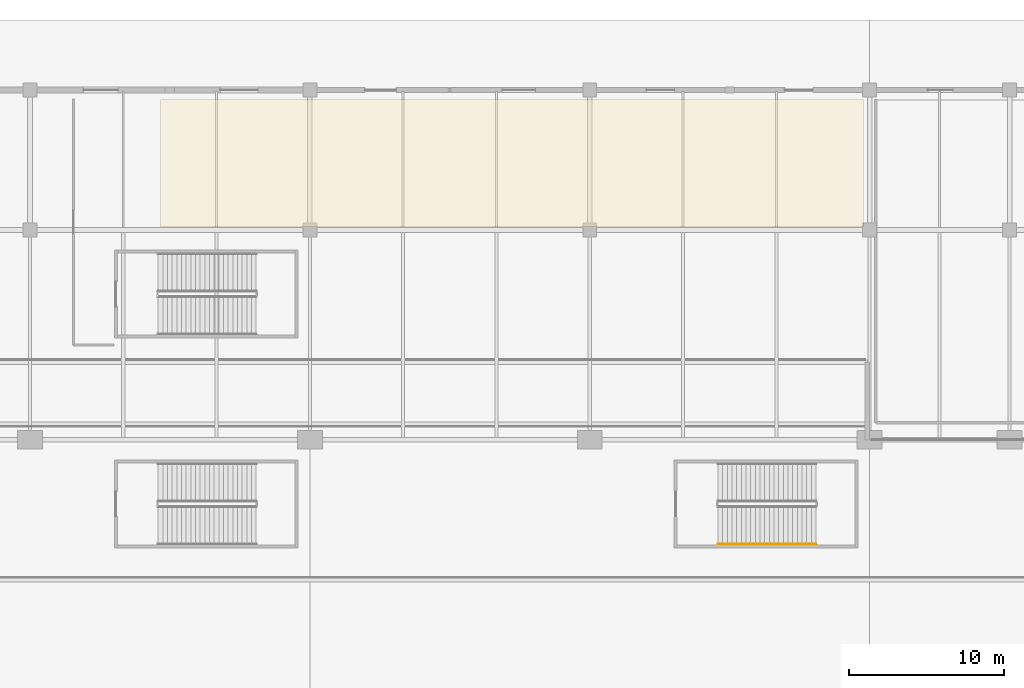
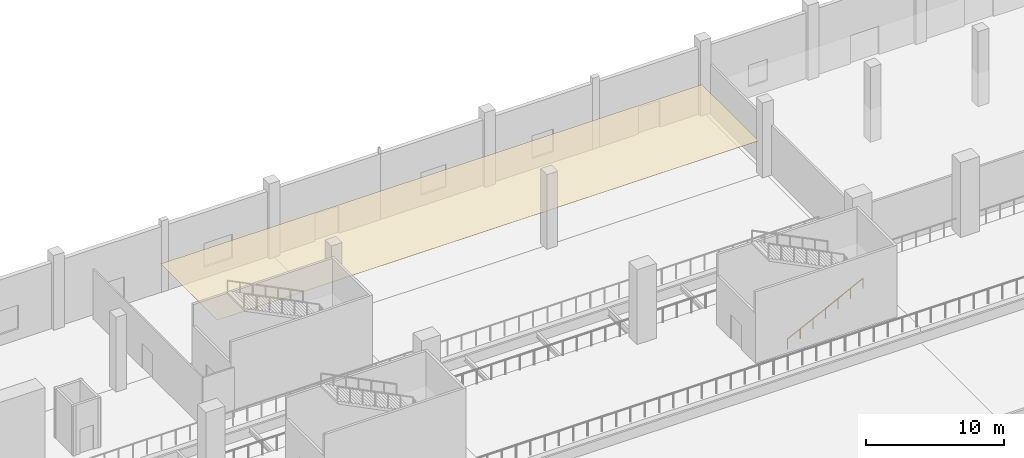
# One storey, part 54 of 65: 1 covering, 1 railing.
"""IFC4 building model written with IfcOpenShell, lengths in metres."""

import ifcopenshell
import ifcopenshell.guid

model = None  # the IFC model being written
_history = None  # IfcOwnerHistory: only IFC2X3 demands one
_inside = {}  # id of a spatial element -> (the spatial element, [elements in it])
_under = {}  # id of a project, library or spatial element -> (it, [spatial elements below it])
_declared = {}  # id of a project -> (the project, [libraries it declares])
_typed = {}  # id of a type object -> (the type object, [elements of that type])
_made_of = {}  # id of a material, layer set ... -> (it, [elements and type objects made of it])


def new_model(schema):
    """Start an empty IFC model of exactly this schema.

    Asked for "IFC4X3", IfcOpenShell would pick the latest addendum, in which some entities
    have other attributes; the version numbers below select the first issue.
    IFC2X3 requires an IfcOwnerHistory on every rooted entity: one is made here for all.
    """
    global model, _history
    if schema == "IFC4X3":
        model = ifcopenshell.file(schema_version=(4, 3, 0, 0))
    else:
        model = ifcopenshell.file(schema=schema)
    _inside.clear()
    _under.clear()
    _declared.clear()
    _typed.clear()
    _made_of.clear()
    _history = None
    if model.schema == "IFC2X3":
        org = make("IfcOrganization", Name="unknown")
        user = make(
            "IfcPersonAndOrganization",
            ThePerson=make("IfcPerson", FamilyName="unknown"),
            TheOrganization=org,
        )
        app = make(
            "IfcApplication",
            ApplicationDeveloper=org,
            Version="unknown",
            ApplicationFullName="unknown",
            ApplicationIdentifier="unknown",
        )
        _history = make(
            "IfcOwnerHistory",
            OwningUser=user,
            OwningApplication=app,
            ChangeAction="ADDED",
            CreationDate=0,
        )
    return model


def make(cls, **values):
    """One entity of the class cls with the attributes given. An attribute that is None is left unset."""
    return model.create_entity(
        cls, **{name: value for name, value in values.items() if value is not None}
    )


def rooted(cls, **values):
    """An entity with a GlobalId (a new one), such as an element, a storey or a relation."""
    return make(cls, GlobalId=ifcopenshell.guid.new(), OwnerHistory=_history, **values)


def si_unit(unit_type, name, prefix=None):
    """IfcSIUnit, for example si_unit("LENGTHUNIT", "METRE", prefix="MILLI")."""
    return make("IfcSIUnit", UnitType=unit_type, Prefix=prefix, Name=name)


def assignment(units):
    """IfcUnitAssignment: the units of a project."""
    return None if units is None else make("IfcUnitAssignment", Units=units)


def point(xyz):
    """IfcCartesianPoint."""
    return None if xyz is None else make("IfcCartesianPoint", Coordinates=xyz)


def direction(xyz):
    """IfcDirection."""
    return None if xyz is None else make("IfcDirection", DirectionRatios=xyz)


def frame(location, z_axis=None, x_axis=None):
    """IfcAxis2Placement3D, a coordinate frame: its origin and axes. An axis left out is left unset."""
    return make(
        "IfcAxis2Placement3D",
        Location=point(location),
        Axis=direction(z_axis),
        RefDirection=direction(x_axis),
    )


def frame_2d(location, x_axis=None):
    """IfcAxis2Placement2D, a coordinate frame in the plane: its origin and x axis."""
    return make(
        "IfcAxis2Placement2D", Location=point(location), RefDirection=direction(x_axis)
    )


def origin():
    """The frame at (0, 0, 0) with its axes left unset."""
    return frame((0.0, 0.0, 0.0))


def origin_2d():
    """The frame at (0, 0) in the plane with its x axis left unset."""
    return frame_2d((0.0, 0.0))


def place(relative_to, where):
    """IfcLocalPlacement: puts the frame where relative to a parent placement (None: the world)."""
    return make(
        "IfcLocalPlacement", PlacementRelTo=relative_to, RelativePlacement=where
    )


def context(
    kind, dimensions, precision=None, world=None, true_north=None, identifier=None
):
    """IfcGeometricRepresentationContext, for example the 3D "Model" context."""
    return make(
        "IfcGeometricRepresentationContext",
        ContextIdentifier=identifier,
        ContextType=kind,
        CoordinateSpaceDimension=dimensions,
        Precision=precision,
        WorldCoordinateSystem=world,
        TrueNorth=true_north,
    )


def subcontext(parent, identifier, kind, view, scale=None):
    """IfcGeometricRepresentationSubContext, for example "Body" below "Model"."""
    return make(
        "IfcGeometricRepresentationSubContext",
        ContextIdentifier=identifier,
        ContextType=kind,
        ParentContext=parent,
        TargetScale=scale,
        TargetView=view,
    )


def project(units=None, contexts=None):
    """IfcProject with its units and contexts."""
    return rooted(
        "IfcProject",
        Name="project",
        RepresentationContexts=contexts,
        UnitsInContext=assignment(units),
    )


def spatial(cls, under=None, at=None, **own):
    """A site, building, storey or space (cls), placed at a placement, below another one or the project."""
    s = rooted(cls, ObjectPlacement=at, **own)
    if under is not None:
        _under.setdefault(under.id(), (under, []))[1].append(s)
    return s


def polyline(points):
    """IfcPolyline through the points."""
    return make("IfcPolyline", Points=[point(p) for p in points])


def profile(cls, at=None, kind="AREA", **sizes):
    """A parametric profile (cls). Its sizes go by their IFC names, for example OverallWidth=200.0."""
    return make(cls, ProfileType=kind, Position=at, **sizes)


def circle(**sizes):
    """IfcCircleProfileDef."""
    return profile("IfcCircleProfileDef", **sizes)


def outline(outer, holes=None, kind="AREA"):
    """IfcArbitraryClosedProfileDef: a profile drawn as a closed curve; with holes, ...WithVoids."""
    if holes is None:
        return make("IfcArbitraryClosedProfileDef", ProfileType=kind, OuterCurve=outer)
    return make(
        "IfcArbitraryProfileDefWithVoids",
        ProfileType=kind,
        OuterCurve=outer,
        InnerCurves=holes,
    )


def extrude(swept, where, along, depth):
    """IfcExtrudedAreaSolid: the profile swept, set in the frame where, extruded along a direction by depth."""
    return make(
        "IfcExtrudedAreaSolid",
        SweptArea=swept,
        Position=where,
        ExtrudedDirection=direction(along),
        Depth=depth,
    )


def shape(context_of_items, identifier, shape_type, items):
    """IfcShapeRepresentation: the items that make up one representation, for example the "Body"."""
    return make(
        "IfcShapeRepresentation",
        ContextOfItems=context_of_items,
        RepresentationIdentifier=identifier,
        RepresentationType=shape_type,
        Items=items,
    )


def material(Name=None, Category=None):
    """IfcMaterial."""
    return make("IfcMaterial", Name=Name, Category=Category)


def layer(
    of_material, thickness, ventilated=None, Name=None, Category=None, Priority=None
):
    """IfcMaterialLayer: one layer of a wall or slab, of a material (None: an air gap)."""
    return make(
        "IfcMaterialLayer",
        Material=of_material,
        LayerThickness=thickness,
        IsVentilated=ventilated,
        Name=Name,
        Category=Category,
        Priority=Priority,
    )


def layer_set(layers, Name=None):
    """IfcMaterialLayerSet."""
    return make("IfcMaterialLayerSet", MaterialLayers=layers, LayerSetName=Name)


def made_of(thing, what):
    """Note that an element or type object is made of a material, layer set ...; save() writes the relation."""
    if what is not None:
        _made_of.setdefault(what.id(), (what, []))[1].append(thing)
    return thing


def type_object(cls, material=None, **own):
    """A type object (cls), such as IfcWallType, which elements share."""
    return made_of(rooted(cls, **own), material)


def element(
    cls,
    number,
    at=None,
    inside=None,
    cuts=None,
    type_object=None,
    material=None,
    context=None,
    identifier="Body",
    shape_type=None,
    held_by="IfcProductDefinitionShape",
    body=None,
    shapes=None,
    **own,
):
    """One element of the class cls, such as IfcWall. Its Tag is "e" and its number.

    at: its placement. inside: the storey or other place that contains it. cuts: it is an
    opening in that element (IfcRelVoidsElement). A single representation is given by context,
    identifier, shape_type and body (its items); several are given by shapes. held_by: the class
    of the entity that holds the representations. save() writes the other relations.
    """
    e = rooted(cls, Tag="e%d" % number, ObjectPlacement=at, **own)
    if body is not None:
        shapes = [shape(context, identifier, shape_type, body)]
    if shapes is not None:
        e.Representation = make(held_by, Representations=shapes)
    if inside is not None:
        _inside.setdefault(inside.id(), (inside, []))[1].append(e)
    if cuts is not None:
        rooted(
            "IfcRelVoidsElement", RelatingBuildingElement=cuts, RelatedOpeningElement=e
        )
    if type_object is not None:
        _typed.setdefault(type_object.id(), (type_object, []))[1].append(e)
    return made_of(e, material)


def aggregate(whole, parts):
    """IfcRelAggregates: a whole, such as a stair, and the parts it consists of."""
    return rooted("IfcRelAggregates", RelatingObject=whole, RelatedObjects=parts)


def save(model, path):
    """Write the relations noted so far, then the file.

    IfcRelAggregates (storeys below a building ...), IfcRelContainedInSpatialStructure (elements
    in a storey), IfcRelDefinesByType, IfcRelAssociatesMaterial and IfcRelDeclares: one each for
    every whole, place, type object, material and project.
    """
    for whole, parts in _under.values():
        aggregate(whole, parts)
    for where, things in _inside.values():
        rooted(
            "IfcRelContainedInSpatialStructure",
            RelatedElements=things,
            RelatingStructure=where,
        )
    for kind, things in _typed.values():
        rooted("IfcRelDefinesByType", RelatedObjects=things, RelatingType=kind)
    for what, things in _made_of.values():
        rooted("IfcRelAssociatesMaterial", RelatedObjects=things, RelatingMaterial=what)
    for by, libraries in _declared.values():
        rooted("IfcRelDeclares", RelatingContext=by, RelatedDefinitions=libraries)
    model.write(path)


model = new_model("IFC4")

# Units and contexts
model_context = context("Model", 3, precision=1e-05, world=origin(), true_north=direction((0.0, 1.0)))
body_context = subcontext(model_context, "Body", "Model", "MODEL_VIEW")
ifc_project = project(units=[si_unit("LENGTHUNIT", "METRE"), si_unit("AREAUNIT", "SQUARE_METRE"), si_unit("VOLUMEUNIT", "CUBIC_METRE"), si_unit("PLANEANGLEUNIT", "RADIAN"), si_unit("MASSUNIT", "GRAM", prefix="KILO")], contexts=[model_context])

# Site, building, storey
site_placement = place(None, origin())
site = spatial("IfcSite", under=ifc_project, at=site_placement, CompositionType="ELEMENT")
building_placement = place(site_placement, origin())
building = spatial("IfcBuilding", under=site, at=building_placement, Name="Chuanluo Vaults Station", CompositionType="ELEMENT")
storey_placement = place(building_placement, origin())
storey = spatial("IfcBuildingStorey", under=building, at=storey_placement, Name="L00", CompositionType="ELEMENT", Elevation=0.0)

# Covering
ifc_material_1 = material(Name="Acoustic mineral-fibre tile")
ifc_layer = layer(ifc_material_1, 0.02490234375)
ifc_layer_set = layer_set([ifc_layer], Name="Acoustic mineral-fibre tile")
covering_type = type_object("IfcCoveringType", Name="COV-CEIL-TILE", PredefinedType="CEILING", material=ifc_layer_set)
covering_placement = place(storey_placement, frame((0.0, 0.0, 2.85009765625)))
element("IfcCovering", 1, at=covering_placement, inside=storey, type_object=covering_type, Name="L00-11 suspended acoustic ceiling", PredefinedType="CEILING", context=body_context, shape_type="SweptSolid", body=[
    extrude(outline(polyline([(62.39990234375, 117.199951171875), (107.60009765625, 117.199951171875), (107.60009765625, 125.39990234375), (62.39990234375, 125.39990234375), (62.39990234375, 117.199951171875)])), origin(), (0.0, 0.0, 1.0), 0.02490234375),
])

# Railing
ifc_material_2 = material(Name="Brushed stainless steel 304", Category="steel")
railing_type = type_object("IfcRailingType", Name="RLG-HAND-900", PredefinedType="HANDRAIL", material=ifc_material_2)
railing_placement = place(storey_placement, frame((98.25, 96.800048828125, 0.14990234375)))
element("IfcRailing", 2, at=railing_placement, inside=storey, type_object=railing_type, Name="L00 ST-15 stair handrail 1", PredefinedType="HANDRAIL", context=body_context, shape_type="SweptSolid", body=[
    extrude(circle(Radius=0.02392578125, at=origin_2d()), frame((0.0, 0.0, 0.8759765625), z_axis=(0.894420258746, 0.0, 0.44722745974), x_axis=(0.0, 1.0, 0.0)), (0.0, 0.0, 1.0), 7.043701171875),
    extrude(circle(Radius=0.02099609375, at=origin_2d()), origin(), (0.0, 0.0, 1.0), 0.851806640625),
    extrude(circle(Radius=0.02099609375, at=origin_2d()), frame((1.050048828125, 0.0, 0.52490234375)), (0.0, 0.0, 1.0), 0.851806640625),
    extrude(circle(Radius=0.02099609375, at=origin_2d()), frame((2.10009765625, 0.0, 1.050048828125)), (0.0, 0.0, 1.0), 0.851806640625),
    extrude(circle(Radius=0.02099609375, at=origin_2d()), frame((3.14990234375, 0.0, 1.5751953125)), (0.0, 0.0, 1.0), 0.851806640625),
    extrude(circle(Radius=0.02099609375, at=origin_2d()), frame((4.199951171875, 0.0, 2.10009765625)), (0.0, 0.0, 1.0), 0.851806640625),
    extrude(circle(Radius=0.02099609375, at=origin_2d()), frame((5.25, 0.0, 2.625)), (0.0, 0.0, 1.0), 0.851806640625),
    extrude(circle(Radius=0.02099609375, at=origin_2d()), frame((6.300048828125, 0.0, 3.150146484375)), (0.0, 0.0, 1.0), 0.851806640625),
])

save(model, "model.ifc")
